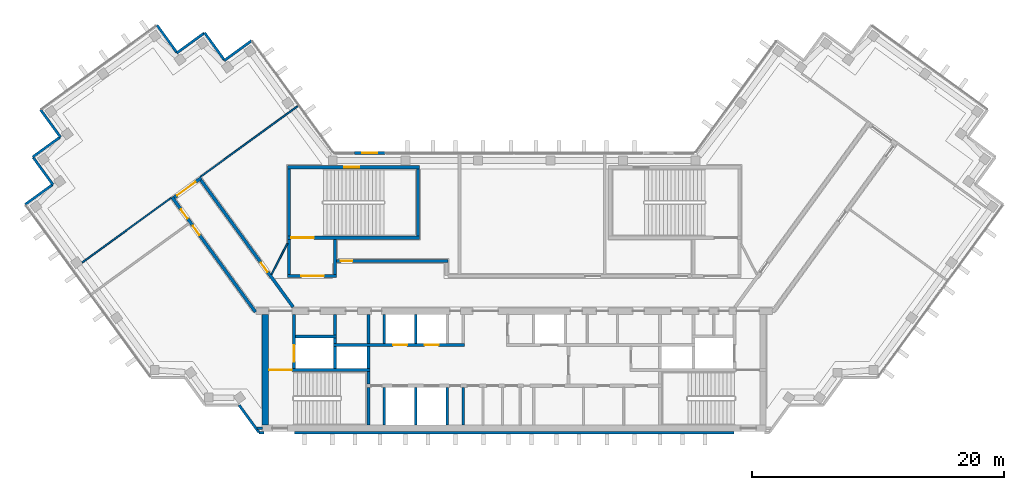
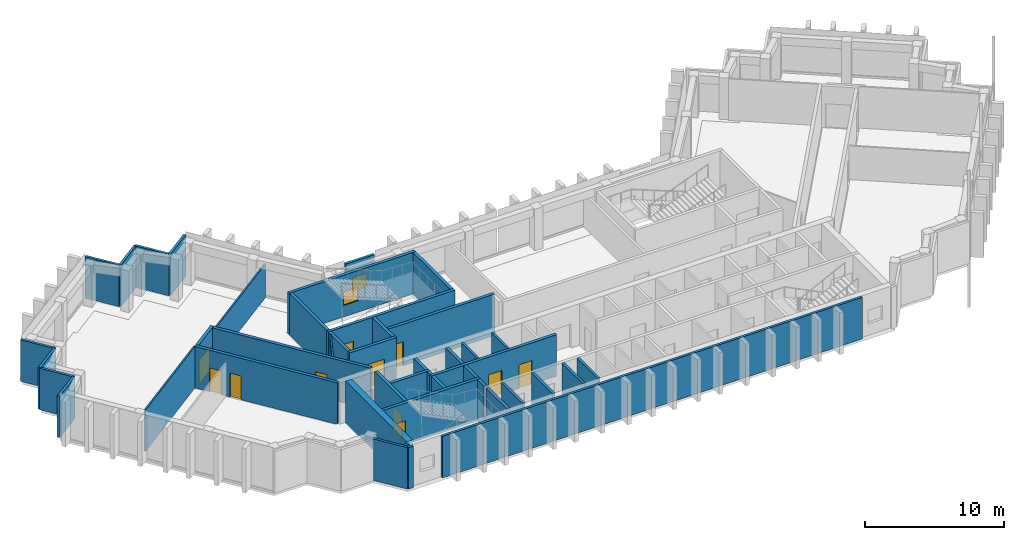
# One storey, part 4 of 10: 45 walls, 11 doors, 2 windows, 13 openings.
"""IFC4 building model written with IfcOpenShell, lengths in metres."""

from ifc_helpers import new_model, si_unit, direction, frame, frame_2d, origin, place, context, subcontext, project, spatial, rectangle, extrude, material, layer, layer_set, type_object, element, fill, save


model = new_model("IFC4")

# Units and contexts
model_context = context("Model", 3, precision=1e-05, world=origin(), true_north=direction((0.0, 1.0)))
body_context = subcontext(model_context, "Body", "Model", "MODEL_VIEW")
ifc_project = project(units=[si_unit("LENGTHUNIT", "METRE"), si_unit("AREAUNIT", "SQUARE_METRE"), si_unit("VOLUMEUNIT", "CUBIC_METRE"), si_unit("PLANEANGLEUNIT", "RADIAN"), si_unit("MASSUNIT", "GRAM", prefix="KILO")], contexts=[model_context])

# Site, building, storey
site_placement = place(None, origin())
site = spatial("IfcSite", under=ifc_project, at=site_placement, CompositionType="ELEMENT")
building_placement = place(site_placement, origin())
building = spatial("IfcBuilding", under=site, at=building_placement, Name="Quipu Civic Tower", CompositionType="ELEMENT")
storey_placement = place(building_placement, frame((0.0, 0.0, 327.0)))
storey = spatial("IfcBuildingStorey", under=building, at=storey_placement, Name="L76", CompositionType="ELEMENT", Elevation=327.0)

# Walls
ifc_material_1 = material(Name="Concrete C70/85", Category="concrete")
ifc_layer_1 = layer(ifc_material_1, 0.25)
ifc_layer_set_1 = layer_set([ifc_layer_1], Name="Concrete C70/85")
wall_type_1 = type_object("IfcWallType", Name="Core wall 250", PredefinedType="SHEAR", material=ifc_layer_set_1)
wall_1_placement = place(storey_placement, frame((-11.574951171875, -10.5, 0.0), z_axis=(0.0, 0.0, 1.0), x_axis=(0.0, 1.0, 0.0)))
element("IfcWall", 1, at=wall_1_placement, inside=storey, type_object=wall_type_1, Name="Core wall", PredefinedType="SHEAR", context=body_context, shape_type="SweptSolid", body=[
    extrude(rectangle(XDim=3.0, YDim=0.25, at=frame_2d((1.5, 0.0))), origin(), (0.0, 0.0, 1.0), 3.64990234375),
])
wall_2_placement = place(storey_placement, frame((-11.574951171875, -7.25, 0.0), z_axis=(0.0, 0.0, 1.0), x_axis=(0.0, 1.0, 0.0)))
element("IfcWall", 2, at=wall_2_placement, inside=storey, type_object=wall_type_1, Name="Core wall", PredefinedType="SHEAR", context=body_context, shape_type="SweptSolid", body=[
    extrude(rectangle(XDim=1.0, YDim=0.25, at=frame_2d((0.5, 0.0))), origin(), (0.0, 0.0, 1.0), 3.64990234375),
])

# Wall, opening, door
wall_3_placement = place(storey_placement, frame((-11.449951171875, -6.125, 0.0), z_axis=(0.0, 0.0, 1.0), x_axis=(-1.0, 0.0, 0.0)))
wall_3 = element("IfcWall", 3, at=wall_3_placement, inside=storey, type_object=wall_type_1, Name="Core wall", PredefinedType="SHEAR", context=body_context, shape_type="SweptSolid", body=[
    extrude(rectangle(XDim=8.050048828125, YDim=0.25, at=frame_2d((4.02490234375, 0.0))), origin(), (0.0, 0.0, 1.0), 3.64990234375),
])
opening_1_placement = place(wall_3_placement, frame((6.199951171875, 0.0, 0.0)))
opening_1 = element("IfcOpeningElement", 4, at=opening_1_placement, cuts=wall_3, Name="Opening CD-10", PredefinedType="OPENING", context=body_context, shape_type="SweptSolid", body=[
    extrude(rectangle(XDim=1.800048828125, YDim=2.10009765625, at=frame_2d((0.89990234375, 1.050048828125))), frame((0.0, 0.135009765625, 0.0), z_axis=(0.0, -1.0, 0.0), x_axis=(1.0, 0.0, 0.0)), (0.0, 0.0, 1.0), 0.27001953125),
])
ifc_material_2 = material(Name="Fire rated steel door", Category="steel")
door_type_1 = type_object("IfcDoorType", Name="Fire door FD90 double 1800 x 2100", OperationType="NOTDEFINED", PredefinedType="DOOR", material=ifc_material_2)
door_1_placement = place(opening_1_placement, origin())
door_1 = element("IfcDoor", 5, at=door_1_placement, inside=storey, type_object=door_type_1, Name="Door", OperationType="DOUBLE_DOOR_SINGLE_SWING", OverallHeight=2.10009765625, OverallWidth=1.800048828125, PredefinedType="DOOR", context=body_context, shape_type="SweptSolid", body=[
    extrude(rectangle(XDim=1.800048828125, YDim=2.10009765625, at=frame_2d((0.89990234375, 1.050048828125))), frame((0.0, 0.02490234375, 0.0), z_axis=(0.0, -1.0, 0.0), x_axis=(1.0, 0.0, 0.0)), (0.0, 0.0, 1.0), 0.050048828125),
])
fill(opening_1, door_1)

wall_4_placement = place(storey_placement, frame((-17.47509765625, -6.0, 0.0), z_axis=(0.0, 0.0, 1.0), x_axis=(0.0, 1.0, 0.0)))
wall_4 = element("IfcWall", 6, at=wall_4_placement, inside=storey, type_object=wall_type_1, Name="Core wall", PredefinedType="SHEAR", context=body_context, shape_type="SweptSolid", body=[
    extrude(rectangle(XDim=4.300048828125, YDim=0.25, at=frame_2d((2.14990234375, 0.0))), origin(), (0.0, 0.0, 1.0), 3.64990234375),
])
opening_2_placement = place(wall_4_placement, frame((0.550048828125, 0.0, 0.0)))
opening_2 = element("IfcOpeningElement", 7, at=opening_2_placement, cuts=wall_4, Name="Opening LD-FF1", PredefinedType="OPENING", context=body_context, shape_type="SweptSolid", body=[
    extrude(rectangle(XDim=1.300048828125, YDim=2.10009765625, at=frame_2d((0.64990234375, 1.050048828125))), frame((0.0, 0.135009765625, 0.0), z_axis=(0.0, -1.0, 0.0), x_axis=(1.0, 0.0, 0.0)), (0.0, 0.0, 1.0), 0.27001953125),
])
ifc_material_3 = material(Name="Stainless steel", Category="steel")
door_type_2 = type_object("IfcDoorType", Name="Lift landing door 1300 x 2100", OperationType="DOUBLE_DOOR_SLIDING", PredefinedType="DOOR", material=ifc_material_3)
door_2_placement = place(opening_2_placement, origin())
door_2 = element("IfcDoor", 8, at=door_2_placement, inside=storey, type_object=door_type_2, Name="Landing door FF1", OperationType="DOUBLE_DOOR_SLIDING", OverallHeight=2.10009765625, OverallWidth=1.300048828125, PredefinedType="DOOR", context=body_context, shape_type="SweptSolid", body=[
    extrude(rectangle(XDim=1.300048828125, YDim=2.10009765625, at=frame_2d((0.64990234375, 1.050048828125))), frame((0.0, 0.02490234375, 0.0), z_axis=(0.0, -1.0, 0.0), x_axis=(1.0, 0.0, 0.0)), (0.0, 0.0, 1.0), 0.050048828125),
])
fill(opening_2, door_2)

# Walls
for number, where, z_axis, x_axis, name in (
    (9, (-14.22509765625, -6.0, 0.0), (0.0, 0.0, 1.0), (0.0, 1.0, 0.0), "Core wall"),
    (10, (-11.574951171875, -6.0, 0.0), (0.0, 0.0, 1.0), (0.0, 1.0, 0.0), "Core wall"),
):
    element("IfcWall", number, at=place(storey_placement, frame(where, z_axis=z_axis, x_axis=x_axis)), inside=storey, type_object=wall_type_1, Name=name, PredefinedType="SHEAR", context=body_context, shape_type="SweptSolid", body=[
        extrude(rectangle(XDim=1.75, YDim=0.25, at=frame_2d((0.875, 0.0))), origin(), (0.0, 0.0, 1.0), 3.64990234375),
    ])

# Wall, openings, doors
wall_5_placement = place(storey_placement, frame((-14.35009765625, -4.125, 0.0), z_axis=(0.0, 0.0, 1.0), x_axis=(1.0, 0.0, 0.0)))
wall_5 = element("IfcWall", 11, at=wall_5_placement, inside=storey, type_object=wall_type_1, Name="Core wall", PredefinedType="SHEAR", context=body_context, shape_type="SweptSolid", body=[
    extrude(rectangle(XDim=10.400146484375, YDim=0.25, at=frame_2d((5.2001953125, 0.0))), origin(), (0.0, 0.0, 1.0), 3.64990234375),
])
opening_3_placement = place(wall_5_placement, frame((4.75, 0.0, 0.0)))
opening_3 = element("IfcOpeningElement", 12, at=opening_3_placement, cuts=wall_5, Name="Opening LD-HL3", PredefinedType="OPENING", context=body_context, shape_type="SweptSolid", body=[
    extrude(rectangle(XDim=1.10009765625, YDim=2.10009765625, at=frame_2d((0.550048828125, 1.050048828125))), frame((0.0, 0.135009765625, 0.0), z_axis=(0.0, -1.0, 0.0), x_axis=(1.0, 0.0, 0.0)), (0.0, 0.0, 1.0), 0.27001953125),
])
opening_4_placement = place(wall_5_placement, frame((7.25, 0.0, 0.0)))
opening_4 = element("IfcOpeningElement", 13, at=opening_4_placement, cuts=wall_5, Name="Opening LD-HL4", PredefinedType="OPENING", context=body_context, shape_type="SweptSolid", body=[
    extrude(rectangle(XDim=1.10009765625, YDim=2.10009765625, at=frame_2d((0.550048828125, 1.050048828125))), frame((0.0, 0.135009765625, 0.0), z_axis=(0.0, -1.0, 0.0), x_axis=(1.0, 0.0, 0.0)), (0.0, 0.0, 1.0), 0.27001953125),
])
ifc_material_4 = material(Name="Stainless steel", Category="steel")
door_type_3 = type_object("IfcDoorType", Name="Lift landing door 1100 x 2100", OperationType="DOUBLE_DOOR_SLIDING", PredefinedType="DOOR", material=ifc_material_4)
door_3_placement = place(opening_3_placement, origin())
door_3 = element("IfcDoor", 14, at=door_3_placement, inside=storey, type_object=door_type_3, Name="Landing door HL3", OperationType="DOUBLE_DOOR_SLIDING", OverallHeight=2.10009765625, OverallWidth=1.10009765625, PredefinedType="DOOR", context=body_context, shape_type="SweptSolid", body=[
    extrude(rectangle(XDim=1.10009765625, YDim=2.10009765625, at=frame_2d((0.550048828125, 1.050048828125))), frame((0.0, 0.02490234375, 0.0), z_axis=(0.0, -1.0, 0.0), x_axis=(1.0, 0.0, 0.0)), (0.0, 0.0, 1.0), 0.050048828125),
])
fill(opening_3, door_3)
door_4_placement = place(opening_4_placement, origin())
door_4 = element("IfcDoor", 15, at=door_4_placement, inside=storey, type_object=door_type_3, Name="Landing door HL4", OperationType="DOUBLE_DOOR_SLIDING", OverallHeight=2.10009765625, OverallWidth=1.10009765625, PredefinedType="DOOR", context=body_context, shape_type="SweptSolid", body=[
    extrude(rectangle(XDim=1.10009765625, YDim=2.10009765625, at=frame_2d((0.550048828125, 1.050048828125))), frame((0.0, 0.02490234375, 0.0), z_axis=(0.0, -1.0, 0.0), x_axis=(1.0, 0.0, 0.0)), (0.0, 0.0, 1.0), 0.050048828125),
])
fill(opening_4, door_4)

# Walls
wall_6_placement = place(storey_placement, frame((-14.22509765625, -4.0, 0.0), z_axis=(0.0, 0.0, 1.0), x_axis=(0.0, 1.0, 0.0)))
element("IfcWall", 16, at=wall_6_placement, inside=storey, type_object=wall_type_1, Name="Core wall", PredefinedType="SHEAR", context=body_context, shape_type="SweptSolid", body=[
    extrude(rectangle(XDim=0.39990234375, YDim=0.25, at=frame_2d((0.199951171875, 0.0))), origin(), (0.0, 0.0, 1.0), 3.64990234375),
])
wall_7_placement = place(storey_placement, frame((-11.574951171875, -4.0, 0.0), z_axis=(0.0, 0.0, 1.0), x_axis=(0.0, 1.0, 0.0)))
element("IfcWall", 17, at=wall_7_placement, inside=storey, type_object=wall_type_1, Name="Core wall", PredefinedType="SHEAR", context=body_context, shape_type="SweptSolid", body=[
    extrude(rectangle(XDim=2.300048828125, YDim=0.25, at=frame_2d((1.14990234375, 0.0))), origin(), (0.0, 0.0, 1.0), 3.64990234375),
])
wall_8_placement = place(storey_placement, frame((-17.35009765625, -3.47509765625, 0.0), z_axis=(0.0, 0.0, 1.0), x_axis=(1.0, 0.0, 0.0)))
element("IfcWall", 18, at=wall_8_placement, inside=storey, type_object=wall_type_1, Name="Core wall", PredefinedType="SHEAR", context=body_context, shape_type="SweptSolid", body=[
    extrude(rectangle(XDim=3.25, YDim=0.25, at=frame_2d((1.625, 0.0))), origin(), (0.0, 0.0, 1.0), 3.64990234375),
])
wall_9_placement = place(storey_placement, frame((-14.22509765625, -3.35009765625, 0.0), z_axis=(0.0, 0.0, 1.0), x_axis=(0.0, 1.0, 0.0)))
element("IfcWall", 19, at=wall_9_placement, inside=storey, type_object=wall_type_1, Name="Core wall", PredefinedType="SHEAR", context=body_context, shape_type="SweptSolid", body=[
    extrude(rectangle(XDim=1.650146484375, YDim=0.25, at=frame_2d((0.8251953125, 0.0))), origin(), (0.0, 0.0, 1.0), 3.64990234375),
])

# Wall, opening, door
wall_10_placement = place(storey_placement, frame((-18.0, 1.324951171875, 0.0), z_axis=(0.0, 0.0, 1.0), x_axis=(1.0, 0.0, 0.0)))
wall_10 = element("IfcWall", 20, at=wall_10_placement, inside=storey, type_object=wall_type_1, Name="Core wall", PredefinedType="SHEAR", context=body_context, shape_type="SweptSolid", body=[
    extrude(rectangle(XDim=3.89990234375, YDim=0.25, at=frame_2d((1.949951171875, 0.0))), origin(), (0.0, 0.0, 1.0), 3.64990234375),
])
opening_5_placement = place(wall_10_placement, frame((1.10009765625, 0.0, 0.0)))
opening_5 = element("IfcOpeningElement", 21, at=opening_5_placement, cuts=wall_10, Name="Opening CD-28", PredefinedType="OPENING", context=body_context, shape_type="SweptSolid", body=[
    extrude(rectangle(XDim=1.800048828125, YDim=2.10009765625, at=frame_2d((0.89990234375, 1.050048828125))), frame((0.0, 0.135009765625, 0.0), z_axis=(0.0, -1.0, 0.0), x_axis=(1.0, 0.0, 0.0)), (0.0, 0.0, 1.0), 0.27001953125),
])
door_5_placement = place(opening_5_placement, origin())
door_5 = element("IfcDoor", 22, at=door_5_placement, inside=storey, type_object=door_type_1, Name="Lobby door", OperationType="DOUBLE_DOOR_SINGLE_SWING", OverallHeight=2.10009765625, OverallWidth=1.800048828125, PredefinedType="DOOR", context=body_context, shape_type="SweptSolid", body=[
    extrude(rectangle(XDim=1.800048828125, YDim=2.10009765625, at=frame_2d((0.89990234375, 1.050048828125))), frame((0.0, 0.02490234375, 0.0), z_axis=(0.0, -1.0, 0.0), x_axis=(1.0, 0.0, 0.0)), (0.0, 0.0, 1.0), 0.050048828125),
])
fill(opening_5, door_5)

# Walls
for number, where, z_axis, x_axis, name in (
    (23, (-17.875, 1.449951171875, 0.0), (0.0, 0.0, 1.0), (0.0, 1.0, 0.0), "Core wall"),
    (24, (-14.22509765625, 1.449951171875, 0.0), (0.0, 0.0, 1.0), (0.0, 1.0, 0.0), "Core wall"),
):
    element("IfcWall", number, at=place(storey_placement, frame(where, z_axis=z_axis, x_axis=x_axis)), inside=storey, type_object=wall_type_1, Name=name, PredefinedType="SHEAR", context=body_context, shape_type="SweptSolid", body=[
        extrude(rectangle(XDim=2.800048828125, YDim=0.25, at=frame_2d((1.39990234375, 0.0))), origin(), (0.0, 0.0, 1.0), 3.64990234375),
    ])

# Wall, opening, door
wall_11_placement = place(storey_placement, frame((-18.0, 4.375, 0.0), z_axis=(0.0, 0.0, 1.0), x_axis=(1.0, 0.0, 0.0)))
wall_11 = element("IfcWall", 25, at=wall_11_placement, inside=storey, type_object=wall_type_1, Name="Core wall", PredefinedType="SHEAR", context=body_context, shape_type="SweptSolid", body=[
    extrude(rectangle(XDim=10.5, YDim=0.25, at=frame_2d((5.25, 0.0))), origin(), (0.0, 0.0, 1.0), 3.64990234375),
])
opening_6_placement = place(wall_11_placement, frame((0.300048828125, 0.0, 0.0)))
opening_6 = element("IfcOpeningElement", 26, at=opening_6_placement, cuts=wall_11, Name="Opening CD-29", PredefinedType="OPENING", context=body_context, shape_type="SweptSolid", body=[
    extrude(rectangle(XDim=1.800048828125, YDim=2.10009765625, at=frame_2d((0.89990234375, 1.050048828125))), frame((0.0, 0.135009765625, 0.0), z_axis=(0.0, -1.0, 0.0), x_axis=(1.0, 0.0, 0.0)), (0.0, 0.0, 1.0), 0.27001953125),
])
door_6_placement = place(opening_6_placement, origin())
door_6 = element("IfcDoor", 27, at=door_6_placement, inside=storey, type_object=door_type_1, Name="Door", OperationType="DOUBLE_DOOR_SINGLE_SWING", OverallHeight=2.10009765625, OverallWidth=1.800048828125, PredefinedType="DOOR", context=body_context, shape_type="SweptSolid", body=[
    extrude(rectangle(XDim=1.800048828125, YDim=2.10009765625, at=frame_2d((0.89990234375, 1.050048828125))), frame((0.0, 0.02490234375, 0.0), z_axis=(0.0, -1.0, 0.0), x_axis=(1.0, 0.0, 0.0)), (0.0, 0.0, 1.0), 0.050048828125),
])
fill(opening_6, door_6)

# Walls
for number, where, z_axis, x_axis, name in (
    (28, (-17.875, 4.5, 0.0), (0.0, 0.0, 1.0), (0.0, 1.0, 0.0), "Core wall"),
    (29, (-7.625, 4.5, 0.0), (0.0, 0.0, 1.0), (0.0, 1.0, 0.0), "Core wall"),
):
    element("IfcWall", number, at=place(storey_placement, frame(where, z_axis=z_axis, x_axis=x_axis)), inside=storey, type_object=wall_type_1, Name=name, PredefinedType="SHEAR", context=body_context, shape_type="SweptSolid", body=[
        extrude(rectangle(XDim=5.35009765625, YDim=0.25, at=frame_2d((2.675048828125, 0.0))), origin(), (0.0, 0.0, 1.0), 3.64990234375),
    ])

# Wall, opening, window
wall_12_placement = place(storey_placement, frame((-18.0, 9.97509765625, 0.0), z_axis=(0.0, 0.0, 1.0), x_axis=(1.0, 0.0, 0.0)))
wall_12 = element("IfcWall", 30, at=wall_12_placement, inside=storey, type_object=wall_type_1, Name="Core wall", PredefinedType="SHEAR", context=body_context, shape_type="SweptSolid", body=[
    extrude(rectangle(XDim=10.5, YDim=0.25, at=frame_2d((5.25, 0.0))), origin(), (0.0, 0.0, 1.0), 3.64990234375),
])
opening_7_placement = place(wall_12_placement, frame((4.5, 0.0, 1.0)))
opening_7 = element("IfcOpeningElement", 31, at=opening_7_placement, cuts=wall_12, Name="Opening SV-3", PredefinedType="OPENING", context=body_context, shape_type="SweptSolid", body=[
    extrude(rectangle(XDim=1.199951171875, YDim=1.199951171875, at=frame_2d((0.60009765625, 0.60009765625))), frame((0.0, 0.135009765625, 0.0), z_axis=(0.0, -1.0, 0.0), x_axis=(1.0, 0.0, 0.0)), (0.0, 0.0, 1.0), 0.27001953125),
])
ifc_material_5 = material(Name="Aluminium louvre", Category="aluminium")
window_type_1 = type_object("IfcWindowType", Name="Stair ventilation louvre 1200 x 1200", PartitioningType="SINGLE_PANEL", PredefinedType="WINDOW", material=ifc_material_5)
window_1_placement = place(opening_7_placement, origin())
window_1 = element("IfcWindow", 32, at=window_1_placement, inside=storey, type_object=window_type_1, Name="Stair ventilation opening", OverallHeight=1.199951171875, OverallWidth=1.199951171875, PartitioningType="SINGLE_PANEL", PredefinedType="WINDOW", context=body_context, shape_type="SweptSolid", body=[
    extrude(rectangle(XDim=1.199951171875, YDim=1.199951171875, at=frame_2d((0.60009765625, 0.60009765625))), frame((0.0, 0.030029296875, 0.0), z_axis=(0.0, -1.0, 0.0), x_axis=(1.0, 0.0, 0.0)), (0.0, 0.0, 1.0), 0.06005859375),
])
fill(opening_7, window_1)

# Wall
ifc_material_6 = material(Name="Concrete C70/85", Category="concrete")
ifc_layer_2 = layer(ifc_material_6, 0.5)
ifc_layer_set_2 = layer_set([ifc_layer_2], Name="Concrete C70/85")
wall_type_2 = type_object("IfcWallType", Name="Core wall 500", PredefinedType="SHEAR", material=ifc_layer_set_2)
wall_13_placement = place(storey_placement, frame((-19.75, -10.5, 0.0), z_axis=(0.0, 0.0, 1.0), x_axis=(0.0, 1.0, 0.0)))
element("IfcWall", 33, at=wall_13_placement, inside=storey, type_object=wall_type_2, Name="Core wall", PredefinedType="SHEAR", context=body_context, shape_type="SweptSolid", body=[
    extrude(rectangle(XDim=8.800048828125, YDim=0.5, at=frame_2d((4.39990234375, 0.0))), origin(), (0.0, 0.0, 1.0), 3.64990234375),
])

# Wall, openings, doors
ifc_material_7 = material(Name="Concrete C50/60", Category="concrete")
ifc_layer_3 = layer(ifc_material_7, 0.25)
ifc_layer_set_3 = layer_set([ifc_layer_3], Name="Concrete C50/60")
wall_type_3 = type_object("IfcWallType", Name="Corridor wall 250 concrete", PredefinedType="SOLIDWALL", material=ifc_layer_set_3)
wall_14_placement = place(storey_placement, frame((-20.531005859375, -1.5234375, 0.0), z_axis=(0.0, 0.0, 1.0), x_axis=(-0.587782646447, 0.809018887626, 0.0)))
wall_14 = element("IfcWall", 34, at=wall_14_placement, inside=storey, type_object=wall_type_3, Name="Corridor wall C04", PredefinedType="SOLIDWALL", context=body_context, shape_type="SweptSolid", body=[
    extrude(rectangle(XDim=11.270263671875, YDim=0.25, at=frame_2d((5.63525390625, 0.0))), origin(), (0.0, 0.0, 1.0), 3.64990234375),
])
opening_8_placement = place(wall_14_placement, frame((7.56591796875, 0.0, 0.0)))
opening_8 = element("IfcOpeningElement", 35, at=opening_8_placement, cuts=wall_14, Name="Opening D010", PredefinedType="OPENING", context=body_context, shape_type="SweptSolid", body=[
    extrude(rectangle(XDim=0.89990234375, YDim=2.10009765625, at=frame_2d((0.449951171875, 1.050048828125))), frame((0.0, 0.135009765625, 0.0), z_axis=(0.0, -1.0, 0.0), x_axis=(1.0, 0.0, 0.0)), (0.0, 0.0, 1.0), 0.27001953125),
])
opening_9_placement = place(wall_14_placement, frame((9.165283203125, 0.0, 0.0)))
opening_9 = element("IfcOpeningElement", 36, at=opening_9_placement, cuts=wall_14, Name="Opening D009", PredefinedType="OPENING", context=body_context, shape_type="SweptSolid", body=[
    extrude(rectangle(XDim=0.89990234375, YDim=2.10009765625, at=frame_2d((0.449951171875, 1.050048828125))), frame((0.0, 0.135009765625, 0.0), z_axis=(0.0, -1.0, 0.0), x_axis=(1.0, 0.0, 0.0)), (0.0, 0.0, 1.0), 0.27001953125),
])
ifc_material_8 = material(Name="Fire rated timber door set with metal frame", Category="wood")
door_type_4 = type_object("IfcDoorType", Name="Single door 900 x 2100 FD60", OperationType="NOTDEFINED", PredefinedType="DOOR", material=ifc_material_8)
door_7_placement = place(opening_8_placement, origin())
door_7 = element("IfcDoor", 37, at=door_7_placement, inside=storey, type_object=door_type_4, Name="Door D010", OperationType="SINGLE_SWING_RIGHT", OverallHeight=2.10009765625, OverallWidth=0.89990234375, PredefinedType="DOOR", context=body_context, shape_type="SweptSolid", body=[
    extrude(rectangle(XDim=0.89990234375, YDim=2.10009765625, at=frame_2d((0.449951171875, 1.050048828125))), frame((0.0, 0.02490234375, 0.0), z_axis=(0.0, -1.0, 0.0), x_axis=(1.0, 0.0, 0.0)), (0.0, 0.0, 1.0), 0.050048828125),
])
fill(opening_8, door_7)
door_8_placement = place(opening_9_placement, origin())
door_8 = element("IfcDoor", 38, at=door_8_placement, inside=storey, type_object=door_type_4, Name="Door D009", OperationType="SINGLE_SWING_LEFT", OverallHeight=2.10009765625, OverallWidth=0.89990234375, PredefinedType="DOOR", context=body_context, shape_type="SweptSolid", body=[
    extrude(rectangle(XDim=0.89990234375, YDim=2.10009765625, at=frame_2d((0.449951171875, 1.050048828125))), frame((0.0, 0.02490234375, 0.0), z_axis=(0.0, -1.0, 0.0), x_axis=(1.0, 0.0, 0.0)), (0.0, 0.0, 1.0), 0.050048828125),
])
fill(opening_9, door_8)

# Wall, opening, door
wall_15_placement = place(storey_placement, frame((-26.98095703125, 7.56689453125, 0.0), z_axis=(0.0, 0.0, 1.0), x_axis=(0.809038743598, 0.587755315891, 0.0)))
wall_15 = element("IfcWall", 39, at=wall_15_placement, inside=storey, type_object=wall_type_3, Name="Corridor wall C05", PredefinedType="SOLIDWALL", context=body_context, shape_type="SweptSolid", body=[
    extrude(rectangle(XDim=2.650146484375, YDim=0.25, at=frame_2d((1.3251953125, 0.0))), origin(), (0.0, 0.0, 1.0), 3.64990234375),
])
opening_10_placement = place(wall_15_placement, frame((0.299560546875, 0.0, 0.0)))
opening_10 = element("IfcOpeningElement", 40, at=opening_10_placement, cuts=wall_15, Name="Opening D011", PredefinedType="OPENING", context=body_context, shape_type="SweptSolid", body=[
    extrude(rectangle(XDim=1.800048828125, YDim=2.10009765625, at=frame_2d((0.89990234375, 1.050048828125))), frame((0.0, 0.135009765625, 0.0), z_axis=(0.0, -1.0, 0.0), x_axis=(1.0, 0.0, 0.0)), (0.0, 0.0, 1.0), 0.27001953125),
])
ifc_material_9 = material(Name="Fire rated timber door set with metal frame", Category="wood")
door_type_5 = type_object("IfcDoorType", Name="Double door 1800 x 2100 FD60", OperationType="DOUBLE_DOOR_SINGLE_SWING", PredefinedType="DOOR", material=ifc_material_9)
door_9_placement = place(opening_10_placement, origin())
door_9 = element("IfcDoor", 41, at=door_9_placement, inside=storey, type_object=door_type_5, Name="Door D011", OperationType="DOUBLE_DOOR_SINGLE_SWING", OverallHeight=2.10009765625, OverallWidth=1.800048828125, PredefinedType="DOOR", context=body_context, shape_type="SweptSolid", body=[
    extrude(rectangle(XDim=1.800048828125, YDim=2.10009765625, at=frame_2d((0.89990234375, 1.050048828125))), frame((0.0, 0.02490234375, 0.0), z_axis=(0.0, -1.0, 0.0), x_axis=(1.0, 0.0, 0.0)), (0.0, 0.0, 1.0), 0.050048828125),
])
fill(opening_10, door_9)

wall_16_placement = place(storey_placement, frame((-24.86474609375, 8.949951171875, 0.0), z_axis=(0.0, 0.0, 1.0), x_axis=(0.587791617212, -0.809012369952, 0.0)))
wall_16 = element("IfcWall", 42, at=wall_16_placement, inside=storey, type_object=wall_type_3, Name="Corridor wall C06", PredefinedType="SOLIDWALL", context=body_context, shape_type="SweptSolid", body=[
    extrude(rectangle(XDim=12.453125, YDim=0.25, at=frame_2d((6.2265625, 0.0))), origin(), (0.0, 0.0, 1.0), 3.64990234375),
])
opening_11_placement = place(wall_16_placement, frame((8.111572265625, 0.0, 0.0)))
opening_11 = element("IfcOpeningElement", 43, at=opening_11_placement, cuts=wall_16, Name="Opening D008", PredefinedType="OPENING", context=body_context, shape_type="SweptSolid", body=[
    extrude(rectangle(XDim=0.89990234375, YDim=2.10009765625, at=frame_2d((0.449951171875, 1.050048828125))), frame((0.0, 0.135009765625, 0.0), z_axis=(0.0, -1.0, 0.0), x_axis=(1.0, 0.0, 0.0)), (0.0, 0.0, 1.0), 0.27001953125),
])
door_10_placement = place(opening_11_placement, origin())
door_10 = element("IfcDoor", 44, at=door_10_placement, inside=storey, type_object=door_type_4, Name="Door D008", OperationType="SINGLE_SWING_RIGHT", OverallHeight=2.10009765625, OverallWidth=0.89990234375, PredefinedType="DOOR", context=body_context, shape_type="SweptSolid", body=[
    extrude(rectangle(XDim=0.89990234375, YDim=2.10009765625, at=frame_2d((0.449951171875, 1.050048828125))), frame((0.0, 0.02490234375, 0.0), z_axis=(0.0, -1.0, 0.0), x_axis=(1.0, 0.0, 0.0)), (0.0, 0.0, 1.0), 0.050048828125),
])
fill(opening_11, door_10)

wall_17_placement = place(storey_placement, frame((-14.090087890625, 2.52490234375, 0.0), z_axis=(0.0, 0.0, 1.0), x_axis=(1.0, 0.0, 0.0)))
wall_17 = element("IfcWall", 45, at=wall_17_placement, inside=storey, type_object=wall_type_3, Name="Corridor wall C07", PredefinedType="SOLIDWALL", context=body_context, shape_type="SweptSolid", body=[
    extrude(rectangle(XDim=8.840087890625, YDim=0.25, at=frame_2d((4.419921875, 0.0))), origin(), (0.0, 0.0, 1.0), 3.64990234375),
])
opening_12_placement = place(wall_17_placement, frame((0.340087890625, 0.0, 0.0)))
opening_12 = element("IfcOpeningElement", 46, at=opening_12_placement, cuts=wall_17, Name="Opening D005", PredefinedType="OPENING", context=body_context, shape_type="SweptSolid", body=[
    extrude(rectangle(XDim=0.89990234375, YDim=2.10009765625, at=frame_2d((0.449951171875, 1.050048828125))), frame((0.0, 0.135009765625, 0.0), z_axis=(0.0, -1.0, 0.0), x_axis=(1.0, 0.0, 0.0)), (0.0, 0.0, 1.0), 0.27001953125),
])
door_11_placement = place(opening_12_placement, origin())
door_11 = element("IfcDoor", 47, at=door_11_placement, inside=storey, type_object=door_type_4, Name="Door D005", OperationType="SINGLE_SWING_LEFT", OverallHeight=2.10009765625, OverallWidth=0.89990234375, PredefinedType="DOOR", context=body_context, shape_type="SweptSolid", body=[
    extrude(rectangle(XDim=0.89990234375, YDim=2.10009765625, at=frame_2d((0.449951171875, 1.050048828125))), frame((0.0, 0.02490234375, 0.0), z_axis=(0.0, -1.0, 0.0), x_axis=(1.0, 0.0, 0.0)), (0.0, 0.0, 1.0), 0.050048828125),
])
fill(opening_12, door_11)

# Walls
ifc_material_10 = material(Name="Gypsum plasterboard on light gauge framing")
ifc_layer_4 = layer(ifc_material_10, 0.1201171875)
ifc_layer_set_4 = layer_set([ifc_layer_4], Name="Gypsum plasterboard on light gauge framing")
wall_type_4 = type_object("IfcWallType", Name="Partition 120 plasterboard", PredefinedType="PARTITIONING", material=ifc_layer_set_4)
wall_18_placement = place(storey_placement, frame((-17.17236328125, 14.822509765625, 0.0), z_axis=(0.0, 0.0, 1.0), x_axis=(-0.809013490065, -0.587790075531, 0.0)))
element("IfcWall", 48, at=wall_18_placement, inside=storey, type_object=wall_type_4, Name="Partition P05", PredefinedType="PARTITIONING", context=body_context, shape_type="SweptSolid", body=[
    extrude(rectangle(XDim=9.54931640625, YDim=0.1201171875, at=frame_2d((4.774658203125, 0.0))), origin(), (0.0, 0.0, 1.0), 2.949951171875),
])
wall_19_placement = place(storey_placement, frame((-34.291015625, 2.41015625, 0.0), z_axis=(0.0, 0.0, 1.0), x_axis=(0.809027940177, 0.587770186393, 0.0)))
element("IfcWall", 49, at=wall_19_placement, inside=storey, type_object=wall_type_4, Name="Partition P07", PredefinedType="PARTITIONING", context=body_context, shape_type="SweptSolid", body=[
    extrude(rectangle(XDim=8.71484375, YDim=0.1201171875, at=frame_2d((4.357421875, 0.0))), origin(), (0.0, 0.0, 1.0), 3.64990234375),
])
wall_20_placement = place(storey_placement, frame((-19.260986328125, 1.449951171875, 0.0), z_axis=(0.0, 0.0, 1.0), x_axis=(0.453950796792, 0.891026752736, 0.0)))
element("IfcWall", 50, at=wall_20_placement, inside=storey, type_object=wall_type_4, Name="Partition P10", PredefinedType="PARTITIONING", context=body_context, shape_type="SweptSolid", body=[
    extrude(rectangle(XDim=2.77783203125, YDim=0.1201171875, at=frame_2d((1.388916015625, 0.0))), origin(), (0.0, 0.0, 1.0), 3.64990234375),
])
ifc_material_11 = material(Name="Precast concrete C40/50", Category="concrete")
wall_type_5 = type_object("IfcWallType", Name="Precast cladding wall", PredefinedType="SOLIDWALL", material=ifc_material_11)
for number, where, z_axis, x_axis, name in (
    (51, (-20.828857421875, 20.025390625, 0.0), (0.0, 0.0, 1.0), (-0.808990163075, -0.587822180636, 0.0), "Precast cladding wall L76 P02"),
    (52, (-22.996337890625, 18.465576171875, 0.0), (0.0, 0.0, 1.0), (-0.587762999008, 0.809033161865, 0.0), "Precast cladding wall L76 P03"),
):
    element("IfcWall", number, at=place(storey_placement, frame(where, z_axis=z_axis, x_axis=x_axis)), inside=storey, type_object=wall_type_5, Name=name, PredefinedType="SOLIDWALL", context=body_context, shape_type="SweptSolid", body=[
        extrude(rectangle(XDim=2.699951171875, YDim=0.199951171875, at=frame_2d((1.35009765625, 0.0))), origin(), (0.0, 0.0, 1.0), 3.64990234375),
    ])
for number, where, z_axis, x_axis, name in (
    (53, (-24.60009765625, 20.62255859375, 0.0), (0.0, 0.0, 1.0), (-0.809064397168, -0.587720002413, 0.0), "Precast cladding wall L76 P04"),
    (54, (-26.767578125, 19.062744140625, 0.0), (0.0, 0.0, 1.0), (-0.587720002413, 0.809064397168, 0.0), "Precast cladding wall L76 P05"),
):
    element("IfcWall", number, at=place(storey_placement, frame(where, z_axis=z_axis, x_axis=x_axis)), inside=storey, type_object=wall_type_5, Name=name, PredefinedType="SOLIDWALL", context=body_context, shape_type="SweptSolid", body=[
        extrude(rectangle(XDim=2.7001953125, YDim=0.199951171875, at=frame_2d((1.35009765625, 0.0))), origin(), (0.0, 0.0, 1.0), 3.64990234375),
    ])
for number, where, z_axis, x_axis, name in (
    (55, (-37.591796875, 14.535888671875, 0.0), (0.0, 0.0, 1.0), (0.587762999008, -0.809033161865, 0.0), "Precast cladding wall L76 P07"),
    (56, (-36.031982421875, 12.36865234375, 0.0), (0.0, 0.0, 1.0), (-0.809033161865, -0.587762999008, 0.0), "Precast cladding wall L76 P08"),
    (57, (-38.189208984375, 10.7646484375, 0.0), (0.0, 0.0, 1.0), (0.587822180636, -0.808990163075, 0.0), "Precast cladding wall L76 P09"),
    (58, (-36.62939453125, 8.597412109375, 0.0), (0.0, 0.0, 1.0), (-0.809033161865, -0.587762999008, 0.0), "Precast cladding wall L76 P10"),
):
    element("IfcWall", number, at=place(storey_placement, frame(where, z_axis=z_axis, x_axis=x_axis)), inside=storey, type_object=wall_type_5, Name=name, PredefinedType="SOLIDWALL", context=body_context, shape_type="SweptSolid", body=[
        extrude(rectangle(XDim=2.699951171875, YDim=0.199951171875, at=frame_2d((1.35009765625, 0.0))), origin(), (0.0, 0.0, 1.0), 3.64990234375),
    ])
wall_21_placement = place(storey_placement, frame((-21.8330078125, -8.90869140625, 0.0), z_axis=(0.0, 0.0, 1.0), x_axis=(0.587766567315, -0.809030569476, 0.0)))
element("IfcWall", 59, at=wall_21_placement, inside=storey, type_object=wall_type_5, Name="Precast cladding wall L76 P15", PredefinedType="SOLIDWALL", context=body_context, shape_type="SweptSolid", body=[
    extrude(rectangle(XDim=2.687744140625, YDim=0.199951171875, at=frame_2d((1.34375, 0.0))), origin(), (0.0, 0.0, 1.0), 3.64990234375),
])
wall_22_placement = place(storey_placement, frame((-20.255859375, -11.087890625, 0.0), z_axis=(0.0, 0.0, 1.0), x_axis=(1.0, 0.0, 0.0)))
element("IfcWall", 60, at=wall_22_placement, inside=storey, type_object=wall_type_5, Name="Precast cladding wall L76 P16", PredefinedType="SOLIDWALL", context=body_context, shape_type="SweptSolid", body=[
    extrude(rectangle(XDim=0.40576171875, YDim=0.199951171875, at=frame_2d((0.202880859375, 0.0))), origin(), (0.0, 0.0, 1.0), 3.64990234375),
])
wall_23_placement = place(storey_placement, frame((-17.44384765625, -11.087890625, 0.0), z_axis=(0.0, 0.0, 1.0), x_axis=(1.0, 0.0, 0.0)))
element("IfcWall", 61, at=wall_23_placement, inside=storey, type_object=wall_type_5, Name="Precast cladding wall L76 P17", PredefinedType="SOLIDWALL", context=body_context, shape_type="SweptSolid", body=[
    extrude(rectangle(XDim=34.8876953125, YDim=0.199951171875, at=frame_2d((17.44384765625, 0.0))), origin(), (0.0, 0.0, 1.0), 3.64990234375),
])

# Wall, opening, window
wall_24_placement = place(storey_placement, frame((-10.263427734375, 11.10009765625, 0.0), z_axis=(0.0, 0.0, 1.0), x_axis=(-1.0, 0.0, 0.0)))
wall_24 = element("IfcWall", 62, at=wall_24_placement, inside=storey, type_object=wall_type_5, Name="Vent surround SF-L74-1", PredefinedType="SOLIDWALL", context=body_context, shape_type="SweptSolid", body=[
    extrude(rectangle(XDim=2.3916015625, YDim=0.199951171875, at=frame_2d((1.19580078125, 0.0))), origin(), (0.0, 0.0, 1.0), 3.64990234375),
])
opening_13_placement = place(wall_24_placement, frame((0.595703125, 0.0, 1.0)))
opening_13 = element("IfcOpeningElement", 63, at=opening_13_placement, cuts=wall_24, Name="Opening SF-L74-1", PredefinedType="OPENING", context=body_context, shape_type="SweptSolid", body=[
    extrude(rectangle(XDim=1.199951171875, YDim=1.199951171875, at=frame_2d((0.60009765625, 0.60009765625))), frame((0.0, 0.10986328125, 0.0), z_axis=(0.0, -1.0, 0.0), x_axis=(1.0, 0.0, 0.0)), (0.0, 0.0, 1.0), 0.219970703125),
])
ifc_material_12 = material(Name="Anodised aluminium louvre", Category="aluminium")
window_type_2 = type_object("IfcWindowType", Name="Stair vent louvre window P3", PartitioningType="SINGLE_PANEL", PredefinedType="WINDOW", material=ifc_material_12)
window_2_placement = place(opening_13_placement, origin())
window_2 = element("IfcWindow", 64, at=window_2_placement, inside=storey, type_object=window_type_2, Name="Stair vent louvre SF-L74-1", OverallHeight=1.199951171875, OverallWidth=1.199951171875, PartitioningType="SINGLE_PANEL", PredefinedType="WINDOW", context=body_context, shape_type="SweptSolid", body=[
    extrude(rectangle(XDim=1.199951171875, YDim=1.199951171875, at=frame_2d((0.60009765625, 0.60009765625))), frame((0.0, 0.030029296875, 0.0), z_axis=(0.0, -1.0, 0.0), x_axis=(1.0, 0.0, 0.0)), (0.0, 0.0, 1.0), 0.06005859375),
])
fill(opening_13, window_2)

# Walls
wall_25_placement = place(storey_placement, frame((-19.97998046875, -10.75, 0.0), z_axis=(0.0, 0.0, 1.0), x_axis=(-1.0, 0.0, 0.0)))
element("IfcWall", 65, at=wall_25_placement, inside=storey, type_object=wall_type_5, Name="Precast cladding return L76 W", PredefinedType="SOLIDWALL", context=body_context, shape_type="SweptSolid", body=[
    extrude(rectangle(XDim=0.41650390625, YDim=0.199951171875, at=frame_2d((0.208251953125, 0.0))), origin(), (0.0, 0.0, 1.0), 3.64990234375),
])
ifc_material_13 = material(Name="Concrete C40/50", Category="concrete")
ifc_layer_5 = layer(ifc_material_13, 0.199951171875)
ifc_layer_set_5 = layer_set([ifc_layer_5], Name="Concrete C40/50")
wall_type_6 = type_object("IfcWallType", Name="Shaft wall 200", PredefinedType="SOLIDWALL", material=ifc_layer_set_5)
for number, where, z_axis, x_axis, name in (
    (66, (-10.300048828125, -10.5, 0.0), (0.0, 0.0, 1.0), (0.0, 1.0, 0.0), "Shaft wall"),
    (67, (-7.800048828125, -10.5, 0.0), (0.0, 0.0, 1.0), (0.0, 1.0, 0.0), "Shaft wall"),
    (68, (-5.300048828125, -10.5, 0.0), (0.0, 0.0, 1.0), (0.0, 1.0, 0.0), "Shaft wall"),
    (69, (-4.050048828125, -10.5, 0.0), (0.0, 0.0, 1.0), (0.0, 1.0, 0.0), "Shaft wall"),
):
    element("IfcWall", number, at=place(storey_placement, frame(where, z_axis=z_axis, x_axis=x_axis)), inside=storey, type_object=wall_type_6, Name=name, PredefinedType="SOLIDWALL", context=body_context, shape_type="SweptSolid", body=[
        extrude(rectangle(XDim=3.0, YDim=0.199951171875, at=frame_2d((1.5, 0.0))), origin(), (0.0, 0.0, 1.0), 3.64990234375),
    ])
for number, where, z_axis, x_axis, name in (
    (70, (-10.300048828125, -4.0, 0.0), (0.0, 0.0, 1.0), (0.0, 1.0, 0.0), "Shaft wall"),
    (71, (-7.800048828125, -4.0, 0.0), (0.0, 0.0, 1.0), (0.0, 1.0, 0.0), "Shaft wall"),
):
    element("IfcWall", number, at=place(storey_placement, frame(where, z_axis=z_axis, x_axis=x_axis)), inside=storey, type_object=wall_type_6, Name=name, PredefinedType="SOLIDWALL", context=body_context, shape_type="SweptSolid", body=[
        extrude(rectangle(XDim=2.300048828125, YDim=0.199951171875, at=frame_2d((1.14990234375, 0.0))), origin(), (0.0, 0.0, 1.0), 3.64990234375),
    ])

save(model, "model.ifc")
